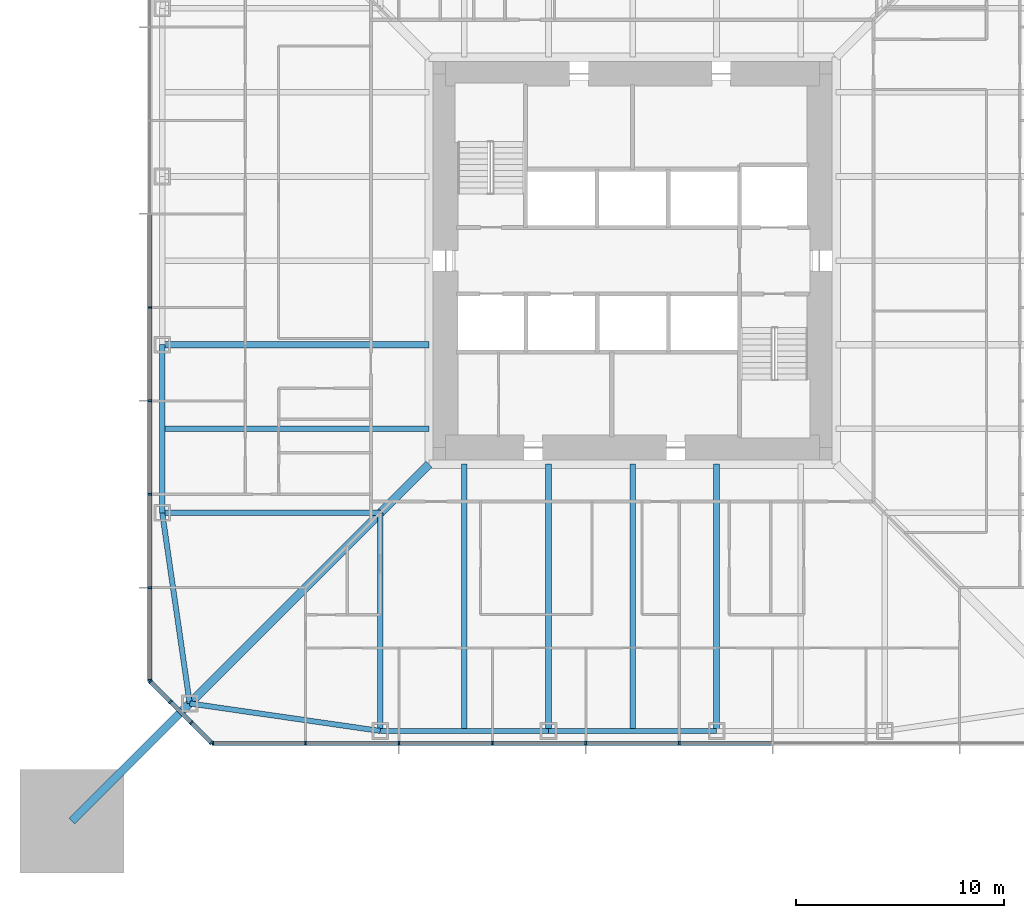
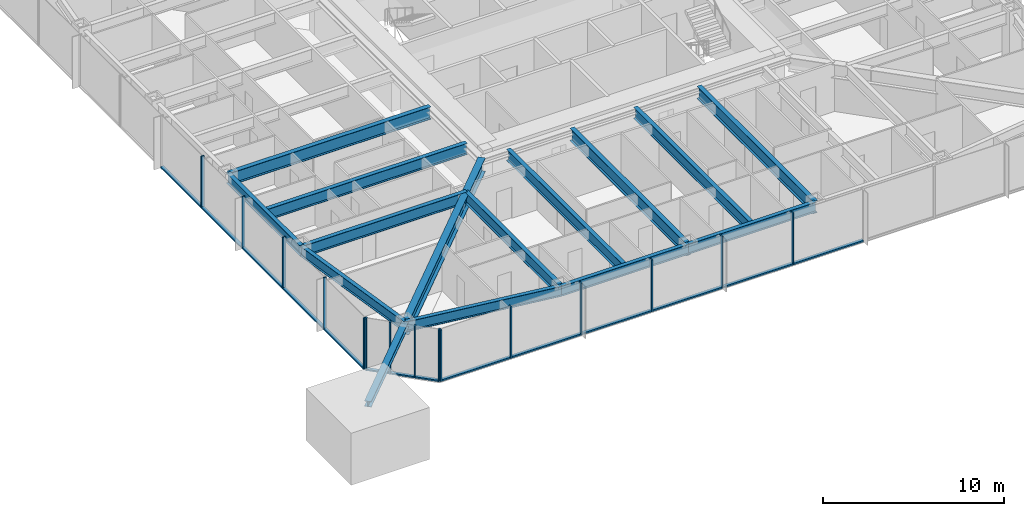
# One storey, part 3 of 26: 30 members, 14 beams, 3 elements without a shape of their own.
"""IFC4 building model written with IfcOpenShell, lengths in metres."""

from ifc_helpers import new_model, si_unit, direction, frame, origin, origin_2d, place, context, subcontext, project, spatial, rectangle, i_section, extrude, material, material_profile, profile_set, type_object, element, aggregate, save


model = new_model("IFC4")

# Units and contexts
model_context = context("Model", 3, precision=1e-05, world=origin(), true_north=direction((0.0, 1.0)))
body_context = subcontext(model_context, "Body", "Model", "MODEL_VIEW")
ifc_project = project(units=[si_unit("LENGTHUNIT", "METRE"), si_unit("AREAUNIT", "SQUARE_METRE"), si_unit("VOLUMEUNIT", "CUBIC_METRE"), si_unit("PLANEANGLEUNIT", "RADIAN"), si_unit("MASSUNIT", "GRAM", prefix="KILO")], contexts=[model_context])

# Site, building, storey
site_placement = place(None, origin())
site = spatial("IfcSite", under=ifc_project, at=site_placement, CompositionType="ELEMENT")
building_placement = place(site_placement, origin())
building = spatial("IfcBuilding", under=site, at=building_placement, Name="Iwan Alto Co-Living Towers", CompositionType="ELEMENT")
storey_placement = place(building_placement, frame((0.0, 0.0, 46.5)))
storey = spatial("IfcBuildingStorey", under=building, at=storey_placement, Name="L12", CompositionType="ELEMENT", Elevation=46.5)

# Curtain wall, members
ifc_material_1 = material(Name="Bronze aluminium unitised frame", Category="aluminium")
curtain_wall_type_1 = type_object("IfcCurtainWallType", Name="CURTAIN WALL CW-A", PredefinedType="NOTDEFINED", material=ifc_material_1)
curtain_wall_1_placement = place(storey_placement, origin())
curtain_wall_1 = element("IfcCurtainWall", 1, at=curtain_wall_1_placement, inside=storey, type_object=curtain_wall_type_1, Name="T1 curtain wall S L12", PredefinedType="NOTDEFINED")
ifc_material_2 = material(Name="Aluminium 6063-T6 bronze anodised", Category="aluminium")
ifc_material_profile_1 = material_profile(ifc_material_2, rectangle(XDim=0.199951171875, YDim=0.080078125, at=origin_2d()), Name="AL 80X200")
ifc_profile_set_1 = profile_set([ifc_material_profile_1], Name="Aluminium 6063-T6 bronze anodised")
member_type_1 = type_object("IfcMemberType", Name="CW-A MULLION 80X200", PredefinedType="MULLION", material=ifc_profile_set_1)
member_1_placement = place(storey_placement, frame((-20.2099609375, -23.25, 0.0), z_axis=(0.0, 0.0, 1.0), x_axis=(0.0, 1.0, 0.0)))
member_1 = element("IfcMember", 2, at=member_1_placement, type_object=member_type_1, Name="CW-A mullion 1", PredefinedType="MULLION", context=body_context, shape_type="SweptSolid", body=[
    extrude(rectangle(XDim=0.199951171875, YDim=0.080078125, at=origin_2d()), origin(), (0.0, 0.0, 1.0), 3.5),
])
member_2_placement = place(storey_placement, frame((-15.75, -23.25, 0.0), z_axis=(0.0, 0.0, 1.0), x_axis=(0.0, 1.0, 0.0)))
member_2 = element("IfcMember", 3, at=member_2_placement, type_object=member_type_1, Name="CW-A mullion 2", PredefinedType="MULLION", context=body_context, shape_type="SweptSolid", body=[
    extrude(rectangle(XDim=0.199951171875, YDim=0.080078125, at=origin_2d()), origin(), (0.0, 0.0, 1.0), 3.5),
])
member_3_placement = place(storey_placement, frame((-11.25, -23.25, 0.0), z_axis=(0.0, 0.0, 1.0), x_axis=(0.0, 1.0, 0.0)))
member_3 = element("IfcMember", 4, at=member_3_placement, type_object=member_type_1, Name="CW-A mullion 3", PredefinedType="MULLION", context=body_context, shape_type="SweptSolid", body=[
    extrude(rectangle(XDim=0.199951171875, YDim=0.080078125, at=origin_2d()), origin(), (0.0, 0.0, 1.0), 3.5),
])
member_4_placement = place(storey_placement, frame((-6.75, -23.25, 0.0), z_axis=(0.0, 0.0, 1.0), x_axis=(0.0, 1.0, 0.0)))
member_4 = element("IfcMember", 5, at=member_4_placement, type_object=member_type_1, Name="CW-A mullion 4", PredefinedType="MULLION", context=body_context, shape_type="SweptSolid", body=[
    extrude(rectangle(XDim=0.199951171875, YDim=0.080078125, at=origin_2d()), origin(), (0.0, 0.0, 1.0), 3.5),
])
member_5_placement = place(storey_placement, frame((-2.25, -23.25, 0.0), z_axis=(0.0, 0.0, 1.0), x_axis=(0.0, 1.0, 0.0)))
member_5 = element("IfcMember", 6, at=member_5_placement, type_object=member_type_1, Name="CW-A mullion 5", PredefinedType="MULLION", context=body_context, shape_type="SweptSolid", body=[
    extrude(rectangle(XDim=0.199951171875, YDim=0.080078125, at=origin_2d()), origin(), (0.0, 0.0, 1.0), 3.5),
])
member_6_placement = place(storey_placement, frame((2.25, -23.25, 0.0), z_axis=(0.0, 0.0, 1.0), x_axis=(0.0, 1.0, 0.0)))
member_6 = element("IfcMember", 7, at=member_6_placement, type_object=member_type_1, Name="CW-A mullion 6", PredefinedType="MULLION", context=body_context, shape_type="SweptSolid", body=[
    extrude(rectangle(XDim=0.199951171875, YDim=0.080078125, at=origin_2d()), origin(), (0.0, 0.0, 1.0), 3.5),
])

curtain_wall_2_placement = place(storey_placement, origin())
curtain_wall_2 = element("IfcCurtainWall", 8, at=curtain_wall_2_placement, inside=storey, type_object=curtain_wall_type_1, Name="T1 curtain wall W L12", PredefinedType="NOTDEFINED")
member_7_placement = place(storey_placement, frame((-23.25, -2.25, 0.0), z_axis=(0.0, 0.0, 1.0), x_axis=(1.0, 0.0, 0.0)))
member_7 = element("IfcMember", 9, at=member_7_placement, type_object=member_type_1, Name="CW-A mullion 6", PredefinedType="MULLION", context=body_context, shape_type="SweptSolid", body=[
    extrude(rectangle(XDim=0.199951171875, YDim=0.080078125, at=origin_2d()), origin(), (0.0, 0.0, 1.0), 3.5),
])
member_8_placement = place(storey_placement, frame((-23.25, -6.75, 0.0), z_axis=(0.0, 0.0, 1.0), x_axis=(1.0, 0.0, 0.0)))
member_8 = element("IfcMember", 10, at=member_8_placement, type_object=member_type_1, Name="CW-A mullion 7", PredefinedType="MULLION", context=body_context, shape_type="SweptSolid", body=[
    extrude(rectangle(XDim=0.199951171875, YDim=0.080078125, at=origin_2d()), origin(), (0.0, 0.0, 1.0), 3.5),
])
member_9_placement = place(storey_placement, frame((-23.25, -11.25, 0.0), z_axis=(0.0, 0.0, 1.0), x_axis=(1.0, 0.0, 0.0)))
member_9 = element("IfcMember", 11, at=member_9_placement, type_object=member_type_1, Name="CW-A mullion 8", PredefinedType="MULLION", context=body_context, shape_type="SweptSolid", body=[
    extrude(rectangle(XDim=0.199951171875, YDim=0.080078125, at=origin_2d()), origin(), (0.0, 0.0, 1.0), 3.5),
])
member_10_placement = place(storey_placement, frame((-23.25, -15.75, 0.0), z_axis=(0.0, 0.0, 1.0), x_axis=(1.0, 0.0, 0.0)))
member_10 = element("IfcMember", 12, at=member_10_placement, type_object=member_type_1, Name="CW-A mullion 9", PredefinedType="MULLION", context=body_context, shape_type="SweptSolid", body=[
    extrude(rectangle(XDim=0.199951171875, YDim=0.080078125, at=origin_2d()), origin(), (0.0, 0.0, 1.0), 3.5),
])
member_11_placement = place(storey_placement, frame((-23.25, -20.2099609375, 0.0), z_axis=(0.0, 0.0, 1.0), x_axis=(1.0, 0.0, 0.0)))
member_11 = element("IfcMember", 13, at=member_11_placement, type_object=member_type_1, Name="CW-A mullion 10", PredefinedType="MULLION", context=body_context, shape_type="SweptSolid", body=[
    extrude(rectangle(XDim=0.199951171875, YDim=0.080078125, at=origin_2d()), origin(), (0.0, 0.0, 1.0), 3.5),
])

# Member
ifc_material_3 = material(Name="Aluminium 6063-T6 bronze anodised", Category="aluminium")
ifc_material_profile_2 = material_profile(ifc_material_3, rectangle(XDim=0.199951171875, YDim=0.10009765625, at=origin_2d()), Name="AL 200X100")
ifc_profile_set_2 = profile_set([ifc_material_profile_2], Name="Aluminium 6063-T6 bronze anodised")
member_type_2 = type_object("IfcMemberType", Name="CW-A TRANSOM 200X100", PredefinedType="USERDEFINED", material=ifc_profile_set_2)
member_12_placement = place(storey_placement, frame((-20.169921875, -23.25, 0.050048828125), z_axis=(1.0, 0.0, 0.0), x_axis=(0.0, 1.0, 0.0)))
member_12 = element("IfcMember", 14, at=member_12_placement, type_object=member_type_2, Name="CW-A transom 1.1", ObjectType="TRANSOM", PredefinedType="USERDEFINED", context=body_context, shape_type="SweptSolid", body=[
    extrude(rectangle(XDim=0.199951171875, YDim=0.10009765625, at=origin_2d()), origin(), (0.0, 0.0, 1.0), 4.3798828125),
])

member_13_placement = place(storey_placement, frame((-15.7099609375, -23.25, 0.050048828125), z_axis=(1.0, 0.0, 0.0), x_axis=(0.0, 1.0, 0.0)))
member_13 = element("IfcMember", 15, at=member_13_placement, type_object=member_type_2, Name="CW-A transom 2.1", ObjectType="TRANSOM", PredefinedType="USERDEFINED", context=body_context, shape_type="SweptSolid", body=[
    extrude(rectangle(XDim=0.199951171875, YDim=0.10009765625, at=origin_2d()), origin(), (0.0, 0.0, 1.0), 4.419921875),
])

member_14_placement = place(storey_placement, frame((-11.2099609375, -23.25, 0.050048828125), z_axis=(1.0, 0.0, 0.0), x_axis=(0.0, 1.0, 0.0)))
member_14 = element("IfcMember", 16, at=member_14_placement, type_object=member_type_2, Name="CW-A transom 3.1", ObjectType="TRANSOM", PredefinedType="USERDEFINED", context=body_context, shape_type="SweptSolid", body=[
    extrude(rectangle(XDim=0.199951171875, YDim=0.10009765625, at=origin_2d()), origin(), (0.0, 0.0, 1.0), 4.419921875),
])

member_15_placement = place(storey_placement, frame((-6.7099609375, -23.25, 0.050048828125), z_axis=(1.0, 0.0, 0.0), x_axis=(0.0, 1.0, 0.0)))
member_15 = element("IfcMember", 17, at=member_15_placement, type_object=member_type_2, Name="CW-A transom 4.1", ObjectType="TRANSOM", PredefinedType="USERDEFINED", context=body_context, shape_type="SweptSolid", body=[
    extrude(rectangle(XDim=0.199951171875, YDim=0.10009765625, at=origin_2d()), origin(), (0.0, 0.0, 1.0), 4.419921875),
])

member_16_placement = place(storey_placement, frame((-2.2099609375, -23.25, 0.050048828125), z_axis=(1.0, 0.0, 0.0), x_axis=(0.0, 1.0, 0.0)))
member_16 = element("IfcMember", 18, at=member_16_placement, type_object=member_type_2, Name="CW-A transom 5.1", ObjectType="TRANSOM", PredefinedType="USERDEFINED", context=body_context, shape_type="SweptSolid", body=[
    extrude(rectangle(XDim=0.199951171875, YDim=0.10009765625, at=origin_2d()), origin(), (0.0, 0.0, 1.0), 4.419921875),
])

member_17_placement = place(storey_placement, frame((2.2900390625, -23.25, 0.050048828125), z_axis=(1.0, 0.0, 0.0), x_axis=(0.0, 1.0, 0.0)))
member_17 = element("IfcMember", 19, at=member_17_placement, type_object=member_type_2, Name="CW-A transom 6.1", ObjectType="TRANSOM", PredefinedType="USERDEFINED", context=body_context, shape_type="SweptSolid", body=[
    extrude(rectangle(XDim=0.199951171875, YDim=0.10009765625, at=origin_2d()), origin(), (0.0, 0.0, 1.0), 4.419921875),
])

aggregate(curtain_wall_1, [member_1, member_2, member_3, member_4, member_5, member_6, member_12, member_13, member_14, member_15, member_16, member_17])

member_18_placement = place(storey_placement, frame((-23.25, 2.2099609375, 0.050048828125), z_axis=(0.0, -1.0, 0.0), x_axis=(1.0, 0.0, 0.0)))
member_18 = element("IfcMember", 20, at=member_18_placement, type_object=member_type_2, Name="CW-A transom 5.1", ObjectType="TRANSOM", PredefinedType="USERDEFINED", context=body_context, shape_type="SweptSolid", body=[
    extrude(rectangle(XDim=0.199951171875, YDim=0.10009765625, at=origin_2d()), origin(), (0.0, 0.0, 1.0), 4.419921875),
])

member_19_placement = place(storey_placement, frame((-23.25, -2.2900390625, 0.050048828125), z_axis=(0.0, -1.0, 0.0), x_axis=(1.0, 0.0, 0.0)))
member_19 = element("IfcMember", 21, at=member_19_placement, type_object=member_type_2, Name="CW-A transom 6.1", ObjectType="TRANSOM", PredefinedType="USERDEFINED", context=body_context, shape_type="SweptSolid", body=[
    extrude(rectangle(XDim=0.199951171875, YDim=0.10009765625, at=origin_2d()), origin(), (0.0, 0.0, 1.0), 4.419921875),
])

member_20_placement = place(storey_placement, frame((-23.25, -6.7900390625, 0.050048828125), z_axis=(0.0, -1.0, 0.0), x_axis=(1.0, 0.0, 0.0)))
member_20 = element("IfcMember", 22, at=member_20_placement, type_object=member_type_2, Name="CW-A transom 7.1", ObjectType="TRANSOM", PredefinedType="USERDEFINED", context=body_context, shape_type="SweptSolid", body=[
    extrude(rectangle(XDim=0.199951171875, YDim=0.10009765625, at=origin_2d()), origin(), (0.0, 0.0, 1.0), 4.419921875),
])

member_21_placement = place(storey_placement, frame((-23.25, -11.2900390625, 0.050048828125), z_axis=(0.0, -1.0, 0.0), x_axis=(1.0, 0.0, 0.0)))
member_21 = element("IfcMember", 23, at=member_21_placement, type_object=member_type_2, Name="CW-A transom 8.1", ObjectType="TRANSOM", PredefinedType="USERDEFINED", context=body_context, shape_type="SweptSolid", body=[
    extrude(rectangle(XDim=0.199951171875, YDim=0.10009765625, at=origin_2d()), origin(), (0.0, 0.0, 1.0), 4.419921875),
])

member_22_placement = place(storey_placement, frame((-23.25, -15.7900390625, 0.050048828125), z_axis=(0.0, -1.0, 0.0), x_axis=(1.0, 0.0, 0.0)))
member_22 = element("IfcMember", 24, at=member_22_placement, type_object=member_type_2, Name="CW-A transom 9.1", ObjectType="TRANSOM", PredefinedType="USERDEFINED", context=body_context, shape_type="SweptSolid", body=[
    extrude(rectangle(XDim=0.199951171875, YDim=0.10009765625, at=origin_2d()), origin(), (0.0, 0.0, 1.0), 4.3798828125),
])

aggregate(curtain_wall_2, [member_7, member_8, member_9, member_10, member_11, member_18, member_19, member_20, member_21, member_22])

# Curtain wall, members
ifc_material_4 = material(Name="Bronze aluminium unitised frame", Category="aluminium")
curtain_wall_type_2 = type_object("IfcCurtainWallType", Name="CURTAIN WALL CW-B", PredefinedType="NOTDEFINED", material=ifc_material_4)
curtain_wall_3_placement = place(storey_placement, origin())
curtain_wall_3 = element("IfcCurtainWall", 25, at=curtain_wall_3_placement, inside=storey, type_object=curtain_wall_type_2, Name="T1 chamfer curtain wall SW L12", PredefinedType="NOTDEFINED")
ifc_material_5 = material(Name="Aluminium 6063-T6 bronze anodised", Category="aluminium")
ifc_material_profile_3 = material_profile(ifc_material_5, rectangle(XDim=0.199951171875, YDim=0.080078125, at=origin_2d()), Name="AL 80X200")
ifc_profile_set_3 = profile_set([ifc_material_profile_3], Name="Aluminium 6063-T6 bronze anodised")
member_type_3 = type_object("IfcMemberType", Name="CW-B MULLION 80X200", PredefinedType="MULLION", material=ifc_profile_set_3)
member_23_placement = place(storey_placement, frame((-23.2216796875, -20.2783203125, 0.0), z_axis=(0.0, 0.0, 1.0), x_axis=(0.707106781187, 0.707106781187, 0.0)))
member_23 = element("IfcMember", 26, at=member_23_placement, type_object=member_type_3, Name="CW-B mullion 1", PredefinedType="MULLION", context=body_context, shape_type="SweptSolid", body=[
    extrude(rectangle(XDim=0.199951171875, YDim=0.080078125, at=origin_2d()), origin(), (0.0, 0.0, 1.0), 3.5),
])
member_24_placement = place(storey_placement, frame((-22.25, -21.25, 0.0), z_axis=(0.0, 0.0, 1.0), x_axis=(0.707106781187, 0.707106781187, 0.0)))
member_24 = element("IfcMember", 27, at=member_24_placement, type_object=member_type_3, Name="CW-B mullion 2", PredefinedType="MULLION", context=body_context, shape_type="SweptSolid", body=[
    extrude(rectangle(XDim=0.199951171875, YDim=0.080078125, at=origin_2d()), origin(), (0.0, 0.0, 1.0), 3.5),
])
member_25_placement = place(storey_placement, frame((-21.25, -22.25, 0.0), z_axis=(0.0, 0.0, 1.0), x_axis=(0.707106781187, 0.707106781187, 0.0)))
member_25 = element("IfcMember", 28, at=member_25_placement, type_object=member_type_3, Name="CW-B mullion 3", PredefinedType="MULLION", context=body_context, shape_type="SweptSolid", body=[
    extrude(rectangle(XDim=0.199951171875, YDim=0.080078125, at=origin_2d()), origin(), (0.0, 0.0, 1.0), 3.5),
])
member_26_placement = place(storey_placement, frame((-20.2783203125, -23.2216796875, 0.0), z_axis=(0.0, 0.0, 1.0), x_axis=(0.707106781187, 0.707106781187, 0.0)))
member_26 = element("IfcMember", 29, at=member_26_placement, type_object=member_type_3, Name="CW-B mullion 4", PredefinedType="MULLION", context=body_context, shape_type="SweptSolid", body=[
    extrude(rectangle(XDim=0.199951171875, YDim=0.080078125, at=origin_2d()), origin(), (0.0, 0.0, 1.0), 3.5),
])
ifc_material_6 = material(Name="Aluminium 6063-T6 bronze anodised", Category="aluminium")
ifc_material_profile_4 = material_profile(ifc_material_6, rectangle(XDim=0.199951171875, YDim=0.10009765625, at=origin_2d()), Name="AL 200X100")
ifc_profile_set_4 = profile_set([ifc_material_profile_4], Name="Aluminium 6063-T6 bronze anodised")
member_type_4 = type_object("IfcMemberType", Name="CW-B TRANSOM 200X100", PredefinedType="USERDEFINED", material=ifc_profile_set_4)
member_27_placement = place(storey_placement, frame((-23.193359375, -20.306640625, 0.050048828125), z_axis=(0.707106781187, -0.707106781187, 0.0), x_axis=(0.707106781187, 0.707106781187, 0.0)))
member_27 = element("IfcMember", 30, at=member_27_placement, type_object=member_type_4, Name="CW-B transom 1.1", ObjectType="TRANSOM", PredefinedType="USERDEFINED", context=body_context, shape_type="SweptSolid", body=[
    extrude(rectangle(XDim=0.199951171875, YDim=0.10009765625, at=origin_2d()), origin(), (0.0, 0.0, 1.0), 1.2939453125),
])
member_28_placement = place(storey_placement, frame((-22.2216796875, -21.2783203125, 0.050048828125), z_axis=(0.707106781187, -0.707106781187, 0.0), x_axis=(0.707106781187, 0.707106781187, 0.0)))
member_28 = element("IfcMember", 31, at=member_28_placement, type_object=member_type_4, Name="CW-B transom 2.1", ObjectType="TRANSOM", PredefinedType="USERDEFINED", context=body_context, shape_type="SweptSolid", body=[
    extrude(rectangle(XDim=0.199951171875, YDim=0.10009765625, at=origin_2d()), origin(), (0.0, 0.0, 1.0), 1.334228515625),
])
member_29_placement = place(storey_placement, frame((-21.2216796875, -22.2783203125, 0.050048828125), z_axis=(0.707106781187, -0.707106781187, 0.0), x_axis=(0.707106781187, 0.707106781187, 0.0)))
member_29 = element("IfcMember", 32, at=member_29_placement, type_object=member_type_4, Name="CW-B transom 3.1", ObjectType="TRANSOM", PredefinedType="USERDEFINED", context=body_context, shape_type="SweptSolid", body=[
    extrude(rectangle(XDim=0.199951171875, YDim=0.10009765625, at=origin_2d()), origin(), (0.0, 0.0, 1.0), 1.2939453125),
])
aggregate(curtain_wall_3, [member_23, member_24, member_25, member_26, member_27, member_28, member_29])

# Beams
ifc_material_7 = material(Name="Steel ASTM A992 Gr 50", Category="steel")
ifc_material_profile_5 = material_profile(ifc_material_7, i_section(OverallWidth=0.419189453125, OverallDepth=0.927001953125, WebThickness=0.019287109375, FlangeThickness=0.031982421875, at=origin_2d()), Name="W36X231")
ifc_profile_set_5 = profile_set([ifc_material_profile_5], Name="Steel ASTM A992 Gr 50")
beam_type_1 = type_object("IfcBeamType", Name="T1 CORNER GIRDER W36X231", PredefinedType="BEAM", material=ifc_profile_set_5)
beam_1_placement = place(storey_placement, frame((-21.32568359375, -21.32568359375, 2.806396484375), z_axis=(0.707106781187, 0.707106781187, 0.0), x_axis=(-0.707106781187, 0.707106781187, 0.0)))
element("IfcBeam", 33, at=beam_1_placement, inside=storey, type_object=beam_type_1, Name="T1 corner girder CSW L13", PredefinedType="BEAM", context=body_context, shape_type="SweptSolid", body=[
    extrude(i_section(OverallWidth=0.419189453125, OverallDepth=0.927001953125, WebThickness=0.019287109375, FlangeThickness=0.031982421875, at=origin_2d()), origin(), (0.0, 0.0, 1.0), 16.296875),
])
ifc_material_8 = material(Name="Steel ASTM A992 Gr 50", Category="steel")
ifc_material_profile_6 = material_profile(ifc_material_8, i_section(OverallWidth=0.25390625, OverallDepth=0.683349609375, WebThickness=0.012451171875, FlangeThickness=0.018798828125, at=origin_2d()), Name="W27X94")
ifc_profile_set_6 = profile_set([ifc_material_profile_6], Name="Steel ASTM A992 Gr 50")
beam_type_2 = type_object("IfcBeamType", Name="T1 EDGE BEAM W27X94", PredefinedType="BEAM", material=ifc_profile_set_6)
beam_2_placement = place(storey_placement, frame((-21.32568359375, -21.32568359375, 2.928466796875), z_axis=(0.989746234347, -0.142836940589, 0.0), x_axis=(0.142836940589, 0.989746234347, 0.0)))
element("IfcBeam", 34, at=beam_2_placement, inside=storey, type_object=beam_type_2, Name="T1 edge beam CSW L13", PredefinedType="BEAM", context=body_context, shape_type="SweptSolid", body=[
    extrude(i_section(OverallWidth=0.25390625, OverallDepth=0.683349609375, WebThickness=0.012451171875, FlangeThickness=0.018798828125, at=origin_2d()), origin(), (0.0, 0.0, 1.0), 9.270751953125),
])
beam_3_placement = place(storey_placement, frame((-12.14990234375, -22.64990234375, 2.928466796875), z_axis=(1.0, 0.0, 0.0), x_axis=(0.0, 1.0, 0.0)))
element("IfcBeam", 35, at=beam_3_placement, inside=storey, type_object=beam_type_2, Name="T1 edge beam S1 L13", PredefinedType="BEAM", context=body_context, shape_type="SweptSolid", body=[
    extrude(i_section(OverallWidth=0.25390625, OverallDepth=0.683349609375, WebThickness=0.012451171875, FlangeThickness=0.018798828125, at=origin_2d()), origin(), (0.0, 0.0, 1.0), 8.099853515625),
])
beam_4_placement = place(storey_placement, frame((-4.050048828125, -22.64990234375, 2.928466796875), z_axis=(1.0, 0.0, 0.0), x_axis=(0.0, 1.0, 0.0)))
element("IfcBeam", 36, at=beam_4_placement, inside=storey, type_object=beam_type_2, Name="T1 edge beam S2 L13", PredefinedType="BEAM", context=body_context, shape_type="SweptSolid", body=[
    extrude(i_section(OverallWidth=0.25390625, OverallDepth=0.683349609375, WebThickness=0.012451171875, FlangeThickness=0.018798828125, at=origin_2d()), origin(), (0.0, 0.0, 1.0), 8.10009765625),
])
beam_5_placement = place(storey_placement, frame((-22.64990234375, -4.050048828125, 2.928466796875), z_axis=(0.0, -1.0, 0.0), x_axis=(1.0, 0.0, 0.0)))
element("IfcBeam", 37, at=beam_5_placement, inside=storey, type_object=beam_type_2, Name="T1 edge beam W3 L13", PredefinedType="BEAM", context=body_context, shape_type="SweptSolid", body=[
    extrude(i_section(OverallWidth=0.25390625, OverallDepth=0.683349609375, WebThickness=0.012451171875, FlangeThickness=0.018798828125, at=origin_2d()), origin(), (0.0, 0.0, 1.0), 8.099853515625),
])
beam_6_placement = place(storey_placement, frame((-22.64990234375, -12.14990234375, 2.928466796875), z_axis=(0.142836940589, -0.989746234347, 0.0), x_axis=(0.989746234347, 0.142836940589, 0.0)))
element("IfcBeam", 38, at=beam_6_placement, inside=storey, type_object=beam_type_2, Name="T1 edge beam W4 L13", PredefinedType="BEAM", context=body_context, shape_type="SweptSolid", body=[
    extrude(i_section(OverallWidth=0.25390625, OverallDepth=0.683349609375, WebThickness=0.012451171875, FlangeThickness=0.018798828125, at=origin_2d()), origin(), (0.0, 0.0, 1.0), 9.270751953125),
])

# Member
ifc_material_9 = material(Name="Steel ASTM A992 Gr 50", Category="steel")
ifc_material_profile_7 = material_profile(ifc_material_9, i_section(OverallWidth=0.393798828125, OverallDepth=0.3759765625, WebThickness=0.017333984375, FlangeThickness=0.027587890625, at=origin_2d()), Name="W14X145")
ifc_profile_set_7 = profile_set([ifc_material_profile_7], Name="Steel ASTM A992 Gr 50")
member_type_5 = type_object("IfcMemberType", Name="T1 MEGA COLUMN FLOOR TIE W14X145", PredefinedType="STRUT", material=ifc_profile_set_7)
member_30_placement = place(storey_placement, frame((-27.0, -27.0, 3.08203125), z_axis=(0.707106781187, 0.707106781187, 0.0), x_axis=(-0.707106781187, 0.707106781187, 0.0)))
element("IfcMember", 39, at=member_30_placement, inside=storey, type_object=member_type_5, Name="T1 mega column floor tie SW L13", PredefinedType="STRUT", context=body_context, shape_type="SweptSolid", body=[
    extrude(i_section(OverallWidth=0.393798828125, OverallDepth=0.3759765625, WebThickness=0.017333984375, FlangeThickness=0.027587890625, at=origin_2d()), origin(), (0.0, 0.0, 1.0), 8.024658203125),
])

# Beams
ifc_material_10 = material(Name="Steel ASTM A992 Gr 50", Category="steel")
ifc_material_profile_8 = material_profile(ifc_material_10, i_section(OverallWidth=0.2666015625, OverallDepth=0.761962890625, WebThickness=0.014404296875, FlangeThickness=0.021484375, at=origin_2d()), Name="W30X116")
ifc_profile_set_8 = profile_set([ifc_material_profile_8], Name="Steel ASTM A992 Gr 50")
beam_type_3 = type_object("IfcBeamType", Name="T1 RADIAL BEAM W30X116", PredefinedType="BEAM", material=ifc_profile_set_8)
for number, where, z_axis, x_axis, name in (
    (40, (-12.14990234375, -22.64990234375, 2.888916015625), (0.0, 1.0, 0.0), (-1.0, 0.0, 0.0), "T1 radial beam S1 L13"),
    (41, (-22.64990234375, -12.14990234375, 2.888916015625), (1.0, 0.0, 0.0), (0.0, 1.0, 0.0), "T1 radial beam W4 L13"),
):
    element("IfcBeam", number, at=place(storey_placement, frame(where, z_axis=z_axis, x_axis=x_axis)), inside=storey, type_object=beam_type_3, Name=name, PredefinedType="BEAM", context=body_context, shape_type="SweptSolid", body=[
        extrude(i_section(OverallWidth=0.2666015625, OverallDepth=0.761962890625, WebThickness=0.014404296875, FlangeThickness=0.021484375, at=origin_2d()), origin(), (0.0, 0.0, 1.0), 10.5),
    ])
ifc_material_11 = material(Name="Steel ASTM A992 Gr 50", Category="steel")
ifc_material_profile_9 = material_profile(ifc_material_11, i_section(OverallWidth=0.2919921875, OverallDepth=0.8408203125, WebThickness=0.0146484375, FlangeThickness=0.021728515625, at=origin_2d()), Name="W33X130")
ifc_profile_set_9 = profile_set([ifc_material_profile_9], Name="Steel ASTM A992 Gr 50")
beam_type_4 = type_object("IfcBeamType", Name="T1 RADIAL BEAM W33X130", PredefinedType="BEAM", material=ifc_profile_set_9)
for number, where, z_axis, x_axis, name in (
    (42, (-4.050048828125, -22.64990234375, 2.849609375), (0.0, 1.0, 0.0), (-1.0, 0.0, 0.0), "T1 radial beam S2 L13"),
    (43, (4.050048828125, -22.64990234375, 2.849609375), (0.0, 1.0, 0.0), (-1.0, 0.0, 0.0), "T1 radial beam S3 L13"),
    (44, (-22.64990234375, -4.050048828125, 2.849609375), (1.0, 0.0, 0.0), (0.0, 1.0, 0.0), "T1 radial beam W3 L13"),
):
    element("IfcBeam", number, at=place(storey_placement, frame(where, z_axis=z_axis, x_axis=x_axis)), inside=storey, type_object=beam_type_4, Name=name, PredefinedType="BEAM", context=body_context, shape_type="SweptSolid", body=[
        extrude(i_section(OverallWidth=0.2919921875, OverallDepth=0.8408203125, WebThickness=0.0146484375, FlangeThickness=0.021728515625, at=origin_2d()), origin(), (0.0, 0.0, 1.0), 12.847900390625),
    ])
ifc_material_12 = material(Name="Steel ASTM A992 Gr 50", Category="steel")
ifc_material_profile_10 = material_profile(ifc_material_12, i_section(OverallWidth=0.2666015625, OverallDepth=0.761962890625, WebThickness=0.014404296875, FlangeThickness=0.021484375, at=origin_2d()), Name="W30X116")
ifc_profile_set_10 = profile_set([ifc_material_profile_10], Name="Steel ASTM A992 Gr 50")
beam_type_5 = type_object("IfcBeamType", Name="T1 SECONDARY BEAM W30X116", PredefinedType="JOIST", material=ifc_profile_set_10)
for number, where, z_axis, x_axis, name in (
    (45, (-8.10009765625, -22.64990234375, 2.888916015625), (0.0, 1.0, 0.0), (-1.0, 0.0, 0.0), "T1 secondary beam S1 L13"),
    (46, (0.0, -22.64990234375, 2.888916015625), (0.0, 1.0, 0.0), (-1.0, 0.0, 0.0), "T1 secondary beam S2 L13"),
    (47, (-22.64990234375, -8.10009765625, 2.888916015625), (1.0, 0.0, 0.0), (0.0, 1.0, 0.0), "T1 secondary beam W3 L13"),
):
    element("IfcBeam", number, at=place(storey_placement, frame(where, z_axis=z_axis, x_axis=x_axis)), inside=storey, type_object=beam_type_5, Name=name, PredefinedType="JOIST", context=body_context, shape_type="SweptSolid", body=[
        extrude(i_section(OverallWidth=0.2666015625, OverallDepth=0.761962890625, WebThickness=0.014404296875, FlangeThickness=0.021484375, at=origin_2d()), origin(), (0.0, 0.0, 1.0), 12.847900390625),
    ])

save(model, "model.ifc")
